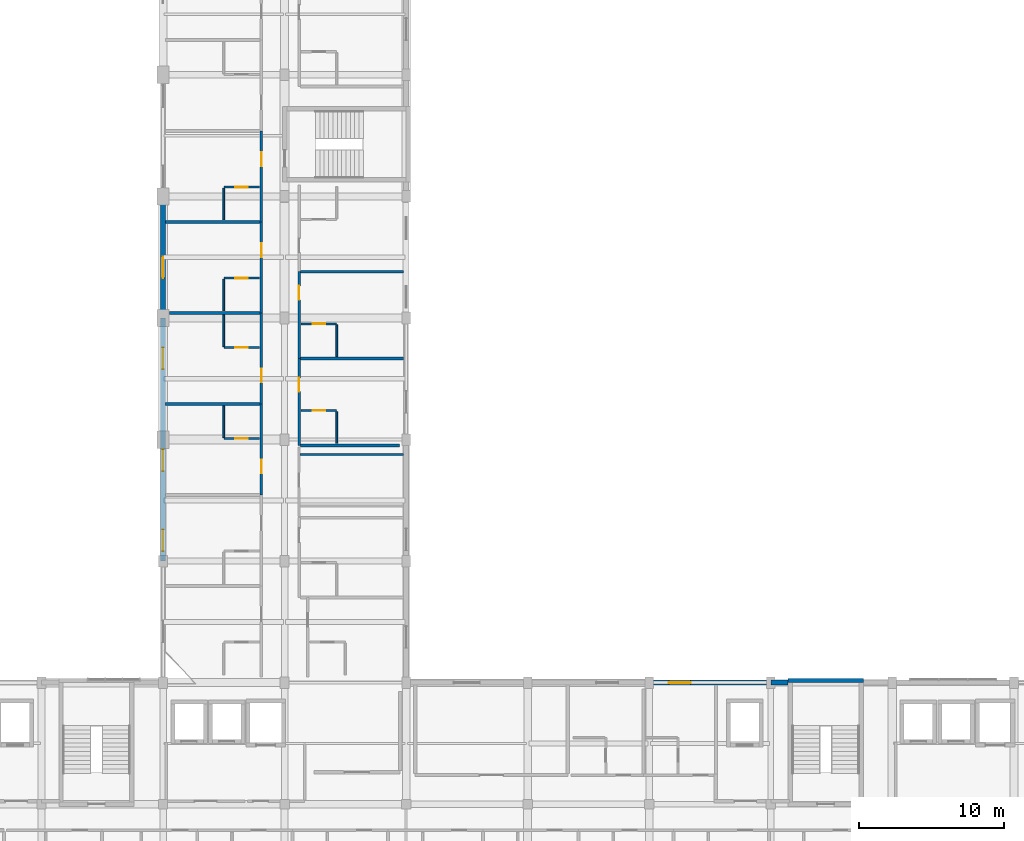
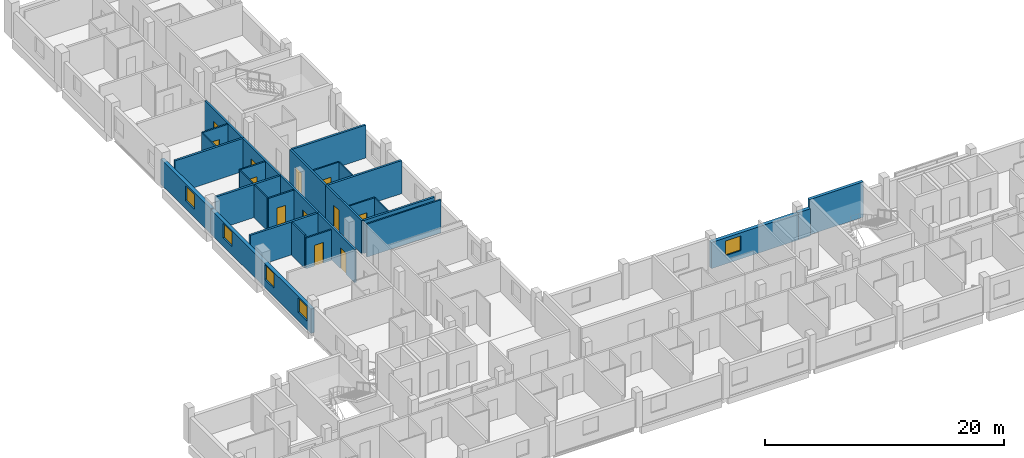
# One storey, part 16 of 26: 30 walls, 12 doors, 5 windows, 17 openings.
"""IFC4 building model written with IfcOpenShell, lengths in metres."""

from ifc_helpers import new_model, si_unit, derived_unit, direction, frame, frame_2d, origin, place, context, subcontext, project, spatial, rectangle, extrude, material, layer, layer_set, type_object, element, fill, save


model = new_model("IFC4")

# Units and contexts
model_context = context("Model", 3, precision=1e-05, world=origin(), true_north=direction((0.0, 1.0)))
body_context = subcontext(model_context, "Body", "Model", "MODEL_VIEW")
ifc_project = project(units=[si_unit("LENGTHUNIT", "METRE"), si_unit("AREAUNIT", "SQUARE_METRE"), si_unit("VOLUMEUNIT", "CUBIC_METRE"), si_unit("PLANEANGLEUNIT", "RADIAN"), si_unit("MASSUNIT", "GRAM", prefix="KILO"), derived_unit("THERMALTRANSMITTANCEUNIT", [(si_unit("POWERUNIT", "WATT"), 1), (si_unit("LENGTHUNIT", "METRE"), -2), (si_unit("THERMODYNAMICTEMPERATUREUNIT", "KELVIN"), -1)])], contexts=[model_context])

# Site, building, storey
site_placement = place(None, origin())
site = spatial("IfcSite", under=ifc_project, at=site_placement, CompositionType="ELEMENT")
building_placement = place(site_placement, origin())
building = spatial("IfcBuilding", under=site, at=building_placement, Name="Barrovel Congress Hotel", CompositionType="ELEMENT")
storey_placement = place(building_placement, frame((0.0, 0.0, 21.89990234375)))
storey = spatial("IfcBuildingStorey", under=building, at=storey_placement, Name="L05", CompositionType="ELEMENT", Elevation=21.89990234375)

# Wall, opening, window
ifc_material_1 = material(Name="Fired Clay Brick Masonry", Category="masonry")
ifc_layer_1 = layer(ifc_material_1, 0.340087890625)
ifc_layer_set_1 = layer_set([ifc_layer_1], Name="Fired Clay Brick Masonry")
wall_type_1 = type_object("IfcWallType", Name="EW-BRK340", PredefinedType="STANDARD", material=ifc_layer_set_1)
wall_1_placement = place(storey_placement, frame((75.60009765625, 21.0, 0.0), z_axis=(0.0, 0.0, 1.0), x_axis=(-1.0, 0.0, 0.0)))
wall_1 = element("IfcWall", 1, at=wall_1_placement, inside=storey, type_object=wall_type_1, Name="EW:L05:HS-NE-4", PredefinedType="STANDARD", context=body_context, shape_type="SweptSolid", body=[
    extrude(rectangle(XDim=8.400146484375, YDim=0.340087890625, at=frame_2d((4.2001953125, 0.0))), origin(), (0.0, 0.0, 1.0), 2.68017578125),
])
opening_1_placement = place(wall_1_placement, frame((5.550048828125, 0.0, 0.85009765625)))
opening_1 = element("IfcOpeningElement", 2, at=opening_1_placement, cuts=wall_1, Name="Opening WN-07", PredefinedType="OPENING", context=body_context, shape_type="SweptSolid", body=[
    extrude(rectangle(XDim=1.5, YDim=1.5, at=frame_2d((0.75, 0.75))), frame((0.0, 0.18017578125, 0.0), z_axis=(0.0, -1.0, 0.0), x_axis=(1.0, 0.0, 0.0)), (0.0, 0.0, 1.0), 0.360107421875),
])
ifc_material_2 = material(Name="Double Low-E Insulated Glazing", Category="glass")
window_type = type_object("IfcWindowType", Name="WIN-WN-07", PartitioningType="SINGLE_PANEL", PredefinedType="WINDOW", material=ifc_material_2)
window_1_placement = place(opening_1_placement, origin())
window_1 = element("IfcWindow", 3, at=window_1_placement, inside=storey, type_object=window_type, Name="WIN:L05:U23", OverallHeight=1.5, OverallWidth=1.5, PartitioningType="SINGLE_PANEL", PredefinedType="WINDOW", context=body_context, shape_type="SweptSolid", body=[
    extrude(rectangle(XDim=1.5, YDim=1.5, at=frame_2d((0.75, 0.75))), frame((0.0, 0.030029296875, 0.0), z_axis=(0.0, -1.0, 0.0), x_axis=(1.0, 0.0, 0.0)), (0.0, 0.0, 1.0), 0.06005859375),
])
fill(opening_1, window_1)

# Wall, openings, windows
wall_2_placement = place(storey_placement, frame((33.60009765625, 46.199951171875, 0.0), z_axis=(0.0, 0.0, 1.0), x_axis=(0.0, -1.0, 0.0)))
wall_2 = element("IfcWall", 4, at=wall_2_placement, inside=storey, type_object=wall_type_1, Name="EW:L05:HW-W", PredefinedType="STANDARD", context=body_context, shape_type="SweptSolid", body=[
    extrude(rectangle(XDim=16.800048828125, YDim=0.340087890625, at=frame_2d((8.39990234375, 0.0))), origin(), (0.0, 0.0, 1.0), 2.47998046875),
])
opening_2_placement = place(wall_2_placement, frame((14.61669921875, 0.0, 0.85009765625)))
opening_2 = element("IfcOpeningElement", 5, at=opening_2_placement, cuts=wall_2, Name="Opening WN-07", PredefinedType="OPENING", context=body_context, shape_type="SweptSolid", body=[
    extrude(rectangle(XDim=1.5, YDim=1.5, at=frame_2d((0.75, 0.75))), frame((0.0, 0.18017578125, 0.0), z_axis=(0.0, -1.0, 0.0), x_axis=(1.0, 0.0, 0.0)), (0.0, 0.0, 1.0), 0.360107421875),
])
opening_3_placement = place(wall_2_placement, frame((9.07763671875, 0.0, 0.85009765625)))
opening_3 = element("IfcOpeningElement", 6, at=opening_3_placement, cuts=wall_2, Name="Opening WN-07", PredefinedType="OPENING", context=body_context, shape_type="SweptSolid", body=[
    extrude(rectangle(XDim=1.5, YDim=1.5, at=frame_2d((0.75, 0.75))), frame((0.0, 0.18017578125, 0.0), z_axis=(0.0, -1.0, 0.0), x_axis=(1.0, 0.0, 0.0)), (0.0, 0.0, 1.0), 0.360107421875),
])
opening_4_placement = place(wall_2_placement, frame((2.038818359375, 0.0, 0.85009765625)))
opening_4 = element("IfcOpeningElement", 7, at=opening_4_placement, cuts=wall_2, Name="Opening WN-07", PredefinedType="OPENING", context=body_context, shape_type="SweptSolid", body=[
    extrude(rectangle(XDim=1.5, YDim=1.5, at=frame_2d((0.75, 0.75))), frame((0.0, 0.18017578125, 0.0), z_axis=(0.0, -1.0, 0.0), x_axis=(1.0, 0.0, 0.0)), (0.0, 0.0, 1.0), 0.360107421875),
])
window_2_placement = place(opening_2_placement, origin())
window_2 = element("IfcWindow", 8, at=window_2_placement, inside=storey, type_object=window_type, Name="WIN:L05:U34", OverallHeight=1.5, OverallWidth=1.5, PartitioningType="SINGLE_PANEL", PredefinedType="WINDOW", context=body_context, shape_type="SweptSolid", body=[
    extrude(rectangle(XDim=1.5, YDim=1.5, at=frame_2d((0.75, 0.75))), frame((0.0, 0.030029296875, 0.0), z_axis=(0.0, -1.0, 0.0), x_axis=(1.0, 0.0, 0.0)), (0.0, 0.0, 1.0), 0.06005859375),
])
fill(opening_2, window_2)
window_3_placement = place(opening_3_placement, origin())
window_3 = element("IfcWindow", 9, at=window_3_placement, inside=storey, type_object=window_type, Name="WIN:L05:U35", OverallHeight=1.5, OverallWidth=1.5, PartitioningType="SINGLE_PANEL", PredefinedType="WINDOW", context=body_context, shape_type="SweptSolid", body=[
    extrude(rectangle(XDim=1.5, YDim=1.5, at=frame_2d((0.75, 0.75))), frame((0.0, 0.030029296875, 0.0), z_axis=(0.0, -1.0, 0.0), x_axis=(1.0, 0.0, 0.0)), (0.0, 0.0, 1.0), 0.06005859375),
])
fill(opening_3, window_3)
window_4_placement = place(opening_4_placement, origin())
window_4 = element("IfcWindow", 10, at=window_4_placement, inside=storey, type_object=window_type, Name="WIN:L05:U36", OverallHeight=1.5, OverallWidth=1.5, PartitioningType="SINGLE_PANEL", PredefinedType="WINDOW", context=body_context, shape_type="SweptSolid", body=[
    extrude(rectangle(XDim=1.5, YDim=1.5, at=frame_2d((0.75, 0.75))), frame((0.0, 0.030029296875, 0.0), z_axis=(0.0, -1.0, 0.0), x_axis=(1.0, 0.0, 0.0)), (0.0, 0.0, 1.0), 0.06005859375),
])
fill(opening_4, window_4)

# Wall
wall_3_placement = place(storey_placement, frame((76.800048828125, 21.0, 0.0), z_axis=(0.0, 0.0, 1.0), x_axis=(-1.0, 0.0, 0.0)))
element("IfcWall", 11, at=wall_3_placement, inside=storey, type_object=wall_type_1, Name="EW:L05:HS-NE-4:P01", PredefinedType="STANDARD", context=body_context, shape_type="SweptSolid", body=[
    extrude(rectangle(XDim=1.199951171875, YDim=0.340087890625, at=frame_2d((0.60009765625, 0.0))), origin(), (0.0, 0.0, 1.0), 2.780029296875),
])

# Wall, opening, window
wall_4_placement = place(storey_placement, frame((33.60009765625, 54.60009765625, 0.0), z_axis=(0.0, 0.0, 1.0), x_axis=(0.0, -1.0, 0.0)))
wall_4 = element("IfcWall", 12, at=wall_4_placement, inside=storey, type_object=wall_type_1, Name="EW:L05:HW-W:P03", PredefinedType="STANDARD", context=body_context, shape_type="SweptSolid", body=[
    extrude(rectangle(XDim=8.400146484375, YDim=0.340087890625, at=frame_2d((4.2001953125, 0.0))), origin(), (0.0, 0.0, 1.0), 2.580078125),
])
opening_5_placement = place(wall_4_placement, frame((4.14990234375, 0.0, 0.85009765625)))
opening_5 = element("IfcOpeningElement", 13, at=opening_5_placement, cuts=wall_4, Name="Opening WN-07", PredefinedType="OPENING", context=body_context, shape_type="SweptSolid", body=[
    extrude(rectangle(XDim=1.5, YDim=1.5, at=frame_2d((0.75, 0.75))), frame((0.0, 0.18017578125, 0.0), z_axis=(0.0, -1.0, 0.0), x_axis=(1.0, 0.0, 0.0)), (0.0, 0.0, 1.0), 0.360107421875),
])
window_5_placement = place(opening_5_placement, origin())
window_5 = element("IfcWindow", 14, at=window_5_placement, inside=storey, type_object=window_type, Name="WIN:L05:U37", OverallHeight=1.5, OverallWidth=1.5, PartitioningType="SINGLE_PANEL", PredefinedType="WINDOW", context=body_context, shape_type="SweptSolid", body=[
    extrude(rectangle(XDim=1.5, YDim=1.5, at=frame_2d((0.75, 0.75))), frame((0.0, 0.030029296875, 0.0), z_axis=(0.0, -1.0, 0.0), x_axis=(1.0, 0.0, 0.0)), (0.0, 0.0, 1.0), 0.06005859375),
])
fill(opening_5, window_5)

# Wall, opening, door
ifc_material_3 = material(Name="Gypsum Acoustic Stud", Category="gypsum")
ifc_layer_2 = layer(ifc_material_3, 0.179931640625)
ifc_layer_set_2 = layer_set([ifc_layer_2], Name="Gypsum Acoustic Stud")
wall_type_2 = type_object("IfcWallType", Name="PW-ACU-180", PredefinedType="PARTITIONING", material=ifc_layer_set_2)
wall_5_placement = place(storey_placement, frame((40.39990234375, 33.977783203125, 0.0), z_axis=(0.0, 0.0, 1.0), x_axis=(0.0, 1.0, 0.0)))
wall_5 = element("IfcWall", 15, at=wall_5_placement, inside=storey, type_object=wall_type_2, Name="PW:L05:U35:COR", PredefinedType="PARTITIONING", context=body_context, shape_type="SweptSolid", body=[
    extrude(rectangle(XDim=6.288818359375, YDim=0.179931640625, at=frame_2d((3.14453125, 0.0))), origin(), (0.0, 0.0, 1.0), 3.375),
])
opening_6_placement = place(wall_5_placement, frame((1.4794921875, 0.0, 0.0)))
opening_6 = element("IfcOpeningElement", 16, at=opening_6_placement, cuts=wall_5, Name="Opening ID-HTL", PredefinedType="OPENING", context=body_context, shape_type="SweptSolid", body=[
    extrude(rectangle(XDim=0.9599609375, YDim=2.14990234375, at=frame_2d((0.47998046875, 1.074951171875))), frame((0.0, 0.10009765625, 0.0), z_axis=(0.0, -1.0, 0.0), x_axis=(1.0, 0.0, 0.0)), (0.0, 0.0, 1.0), 0.199951171875),
])
ifc_material_4 = material(Name="Solid Oak Acoustic Timber Door", Category="wood")
door_type_1 = type_object("IfcDoorType", Name="IDR-ID-HTL", OperationType="NOTDEFINED", PredefinedType="DOOR", material=ifc_material_4)
door_1_placement = place(opening_6_placement, origin())
door_1 = element("IfcDoor", 17, at=door_1_placement, inside=storey, type_object=door_type_1, Name="DR:L05:U35:ENT", OperationType="SINGLE_SWING_RIGHT", OverallHeight=2.14990234375, OverallWidth=0.9599609375, PredefinedType="DOOR", context=body_context, shape_type="SweptSolid", body=[
    extrude(rectangle(XDim=0.9599609375, YDim=2.14990234375, at=frame_2d((0.47998046875, 1.074951171875))), frame((0.0, 0.02490234375, 0.0), z_axis=(0.0, -1.0, 0.0), x_axis=(1.0, 0.0, 0.0)), (0.0, 0.0, 1.0), 0.050048828125),
])
fill(opening_6, door_1)

wall_6_placement = place(storey_placement, frame((40.39990234375, 40.2666015625, 0.0), z_axis=(0.0, 0.0, 1.0), x_axis=(0.0, 1.0, 0.0)))
wall_6 = element("IfcWall", 18, at=wall_6_placement, inside=storey, type_object=wall_type_2, Name="PW:L05:U36:COR", PredefinedType="PARTITIONING", context=body_context, shape_type="SweptSolid", body=[
    extrude(rectangle(XDim=6.2890625, YDim=0.179931640625, at=frame_2d((3.14453125, 0.0))), origin(), (0.0, 0.0, 1.0), 3.375),
])
opening_7_placement = place(wall_6_placement, frame((1.4794921875, 0.0, 0.0)))
opening_7 = element("IfcOpeningElement", 19, at=opening_7_placement, cuts=wall_6, Name="Opening ID-HTL", PredefinedType="OPENING", context=body_context, shape_type="SweptSolid", body=[
    extrude(rectangle(XDim=0.9599609375, YDim=2.14990234375, at=frame_2d((0.47998046875, 1.074951171875))), frame((0.0, 0.10009765625, 0.0), z_axis=(0.0, -1.0, 0.0), x_axis=(1.0, 0.0, 0.0)), (0.0, 0.0, 1.0), 0.199951171875),
])
door_2_placement = place(opening_7_placement, origin())
door_2 = element("IfcDoor", 20, at=door_2_placement, inside=storey, type_object=door_type_1, Name="DR:L05:U36:ENT", OperationType="SINGLE_SWING_RIGHT", OverallHeight=2.14990234375, OverallWidth=0.9599609375, PredefinedType="DOOR", context=body_context, shape_type="SweptSolid", body=[
    extrude(rectangle(XDim=0.9599609375, YDim=2.14990234375, at=frame_2d((0.47998046875, 1.074951171875))), frame((0.0, 0.02490234375, 0.0), z_axis=(0.0, -1.0, 0.0), x_axis=(1.0, 0.0, 0.0)), (0.0, 0.0, 1.0), 0.050048828125),
])
fill(opening_7, door_2)

wall_7_placement = place(storey_placement, frame((40.39990234375, 46.5556640625, 0.0), z_axis=(0.0, 0.0, 1.0), x_axis=(0.0, 1.0, 0.0)))
wall_7 = element("IfcWall", 21, at=wall_7_placement, inside=storey, type_object=wall_type_2, Name="PW:L05:U37:COR", PredefinedType="PARTITIONING", context=body_context, shape_type="SweptSolid", body=[
    extrude(rectangle(XDim=6.288818359375, YDim=0.179931640625, at=frame_2d((3.14453125, 0.0))), origin(), (0.0, 0.0, 1.0), 3.375),
])
opening_8_placement = place(wall_7_placement, frame((3.849365234375, 0.0, 0.0)))
opening_8 = element("IfcOpeningElement", 22, at=opening_8_placement, cuts=wall_7, Name="Opening ID-HTL", PredefinedType="OPENING", context=body_context, shape_type="SweptSolid", body=[
    extrude(rectangle(XDim=0.9599609375, YDim=2.14990234375, at=frame_2d((0.47998046875, 1.074951171875))), frame((0.0, 0.10009765625, 0.0), z_axis=(0.0, -1.0, 0.0), x_axis=(1.0, 0.0, 0.0)), (0.0, 0.0, 1.0), 0.199951171875),
])
door_3_placement = place(opening_8_placement, origin())
door_3 = element("IfcDoor", 23, at=door_3_placement, inside=storey, type_object=door_type_1, Name="DR:L05:U37:ENT", OperationType="SINGLE_SWING_RIGHT", OverallHeight=2.14990234375, OverallWidth=0.9599609375, PredefinedType="DOOR", context=body_context, shape_type="SweptSolid", body=[
    extrude(rectangle(XDim=0.9599609375, YDim=2.14990234375, at=frame_2d((0.47998046875, 1.074951171875))), frame((0.0, 0.02490234375, 0.0), z_axis=(0.0, -1.0, 0.0), x_axis=(1.0, 0.0, 0.0)), (0.0, 0.0, 1.0), 0.050048828125),
])
fill(opening_8, door_3)

wall_8_placement = place(storey_placement, frame((40.39990234375, 52.844482421875, 0.0), z_axis=(0.0, 0.0, 1.0), x_axis=(0.0, 1.0, 0.0)))
wall_8 = element("IfcWall", 24, at=wall_8_placement, inside=storey, type_object=wall_type_2, Name="PW:L05:U38:COR", PredefinedType="PARTITIONING", context=body_context, shape_type="SweptSolid", body=[
    extrude(rectangle(XDim=6.288818359375, YDim=0.179931640625, at=frame_2d((3.14453125, 0.0))), origin(), (0.0, 0.0, 1.0), 3.375),
])
opening_9_placement = place(wall_8_placement, frame((3.849609375, 0.0, 0.0)))
opening_9 = element("IfcOpeningElement", 25, at=opening_9_placement, cuts=wall_8, Name="Opening ID-HTL", PredefinedType="OPENING", context=body_context, shape_type="SweptSolid", body=[
    extrude(rectangle(XDim=0.9599609375, YDim=2.14990234375, at=frame_2d((0.47998046875, 1.074951171875))), frame((0.0, 0.10009765625, 0.0), z_axis=(0.0, -1.0, 0.0), x_axis=(1.0, 0.0, 0.0)), (0.0, 0.0, 1.0), 0.199951171875),
])
door_4_placement = place(opening_9_placement, origin())
door_4 = element("IfcDoor", 26, at=door_4_placement, inside=storey, type_object=door_type_1, Name="DR:L05:U38:ENT", OperationType="SINGLE_SWING_RIGHT", OverallHeight=2.14990234375, OverallWidth=0.9599609375, PredefinedType="DOOR", context=body_context, shape_type="SweptSolid", body=[
    extrude(rectangle(XDim=0.9599609375, YDim=2.14990234375, at=frame_2d((0.47998046875, 1.074951171875))), frame((0.0, 0.02490234375, 0.0), z_axis=(0.0, -1.0, 0.0), x_axis=(1.0, 0.0, 0.0)), (0.0, 0.0, 1.0), 0.050048828125),
])
fill(opening_9, door_4)

wall_9_placement = place(storey_placement, frame((43.0, 37.39990234375, 0.0), z_axis=(0.0, 0.0, 1.0), x_axis=(0.0, 1.0, 0.0)))
wall_9 = element("IfcWall", 27, at=wall_9_placement, inside=storey, type_object=wall_type_2, Name="PW:L05:U44:COR", PredefinedType="PARTITIONING", context=body_context, shape_type="SweptSolid", body=[
    extrude(rectangle(XDim=6.0, YDim=0.179931640625, at=frame_2d((3.0, 0.0))), origin(), (0.0, 0.0, 1.0), 3.375),
])
opening_10_placement = place(wall_9_placement, frame((3.705078125, 0.0, 0.0)))
opening_10 = element("IfcOpeningElement", 28, at=opening_10_placement, cuts=wall_9, Name="Opening ID-HTL", PredefinedType="OPENING", context=body_context, shape_type="SweptSolid", body=[
    extrude(rectangle(XDim=0.9599609375, YDim=2.14990234375, at=frame_2d((0.47998046875, 1.074951171875))), frame((0.0, 0.10009765625, 0.0), z_axis=(0.0, -1.0, 0.0), x_axis=(1.0, 0.0, 0.0)), (0.0, 0.0, 1.0), 0.199951171875),
])
door_5_placement = place(opening_10_placement, origin())
door_5 = element("IfcDoor", 29, at=door_5_placement, inside=storey, type_object=door_type_1, Name="DR:L05:U44:ENT", OperationType="SINGLE_SWING_RIGHT", OverallHeight=2.14990234375, OverallWidth=0.9599609375, PredefinedType="DOOR", context=body_context, shape_type="SweptSolid", body=[
    extrude(rectangle(XDim=0.9599609375, YDim=2.14990234375, at=frame_2d((0.47998046875, 1.074951171875))), frame((0.0, 0.02490234375, 0.0), z_axis=(0.0, -1.0, 0.0), x_axis=(1.0, 0.0, 0.0)), (0.0, 0.0, 1.0), 0.050048828125),
])
fill(opening_10, door_5)

wall_10_placement = place(storey_placement, frame((43.0, 43.39990234375, 0.0), z_axis=(0.0, 0.0, 1.0), x_axis=(0.0, 1.0, 0.0)))
wall_10 = element("IfcWall", 30, at=wall_10_placement, inside=storey, type_object=wall_type_2, Name="PW:L05:U45:COR", PredefinedType="PARTITIONING", context=body_context, shape_type="SweptSolid", body=[
    extrude(rectangle(XDim=6.0, YDim=0.179931640625, at=frame_2d((3.0, 0.0))), origin(), (0.0, 0.0, 1.0), 3.375),
])
opening_11_placement = place(wall_10_placement, frame((4.054931640625, 0.0, 0.0)))
opening_11 = element("IfcOpeningElement", 31, at=opening_11_placement, cuts=wall_10, Name="Opening ID-HTL", PredefinedType="OPENING", context=body_context, shape_type="SweptSolid", body=[
    extrude(rectangle(XDim=0.9599609375, YDim=2.14990234375, at=frame_2d((0.47998046875, 1.074951171875))), frame((0.0, 0.10009765625, 0.0), z_axis=(0.0, -1.0, 0.0), x_axis=(1.0, 0.0, 0.0)), (0.0, 0.0, 1.0), 0.199951171875),
])
door_6_placement = place(opening_11_placement, origin())
door_6 = element("IfcDoor", 32, at=door_6_placement, inside=storey, type_object=door_type_1, Name="DR:L05:U45:ENT", OperationType="SINGLE_SWING_RIGHT", OverallHeight=2.14990234375, OverallWidth=0.9599609375, PredefinedType="DOOR", context=body_context, shape_type="SweptSolid", body=[
    extrude(rectangle(XDim=0.9599609375, YDim=2.14990234375, at=frame_2d((0.47998046875, 1.074951171875))), frame((0.0, 0.02490234375, 0.0), z_axis=(0.0, -1.0, 0.0), x_axis=(1.0, 0.0, 0.0)), (0.0, 0.0, 1.0), 0.050048828125),
])
fill(opening_11, door_6)

# Walls
ifc_layer_3 = layer(ifc_material_3, 0.1201171875)
ifc_layer_set_3 = layer_set([ifc_layer_3], Name="Gypsum Acoustic Stud")
wall_type_3 = type_object("IfcWallType", Name="PW-INT-120", PredefinedType="PARTITIONING", material=ifc_layer_set_3)
for number, where, z_axis, x_axis, name in (
    (33, (37.800048828125, 37.936767578125, 0.0), (0.0, 0.0, 1.0), (0.0, 1.0, 0.0), "PW:L05:U35:B2"),
    (34, (37.800048828125, 44.2255859375, 0.0), (0.0, 0.0, 1.0), (0.0, 1.0, 0.0), "PW:L05:U36:B2"),
    (35, (37.800048828125, 46.695556640625, 0.0), (0.0, 0.0, 1.0), (0.0, 1.0, 0.0), "PW:L05:U37:B2"),
    (36, (37.800048828125, 52.984375, 0.0), (0.0, 0.0, 1.0), (0.0, 1.0, 0.0), "PW:L05:U38:B2"),
    (37, (45.60009765625, 37.5400390625, 0.0), (0.0, 0.0, 1.0), (0.0, 1.0, 0.0), "PW:L05:U44:B2"),
    (38, (45.60009765625, 43.5400390625, 0.0), (0.0, 0.0, 1.0), (0.0, 1.0, 0.0), "PW:L05:U45:B2"),
):
    element("IfcWall", number, at=place(storey_placement, frame(where, z_axis=z_axis, x_axis=x_axis)), inside=storey, type_object=wall_type_3, Name=name, PredefinedType="PARTITIONING", context=body_context, shape_type="SweptSolid", body=[
        extrude(rectangle(XDim=2.18994140625, YDim=0.1201171875, at=frame_2d((1.094970703125, 0.0))), origin(), (0.0, 0.0, 1.0), 3.375),
    ])
ifc_layer_4 = layer(ifc_material_1, 0.199951171875)
ifc_layer_set_4 = layer_set([ifc_layer_4], Name="Fired Clay Brick Masonry")
wall_type_4 = type_object("IfcWallType", Name="PW-MAS-200", PredefinedType="PARTITIONING", material=ifc_layer_set_4)
wall_11_placement = place(storey_placement, frame((33.77001953125, 40.2666015625, 0.0), z_axis=(0.0, 0.0, 1.0), x_axis=(1.0, 0.0, 0.0)))
element("IfcWall", 39, at=wall_11_placement, inside=storey, type_object=wall_type_4, Name="PW:L05:U35:DEM", PredefinedType="PARTITIONING", context=body_context, shape_type="SweptSolid", body=[
    extrude(rectangle(XDim=6.5400390625, YDim=0.199951171875, at=frame_2d((3.27001953125, 0.0))), origin(), (0.0, 0.0, 1.0), 3.375),
])
wall_12_placement = place(storey_placement, frame((34.050048828125, 46.5556640625, 0.0), z_axis=(0.0, 0.0, 1.0), x_axis=(1.0, 0.0, 0.0)))
element("IfcWall", 40, at=wall_12_placement, inside=storey, type_object=wall_type_4, Name="PW:L05:U36:DEM", PredefinedType="PARTITIONING", context=body_context, shape_type="SweptSolid", body=[
    extrude(rectangle(XDim=6.260009765625, YDim=0.199951171875, at=frame_2d((3.1298828125, 0.0))), origin(), (0.0, 0.0, 1.0), 3.375),
])
wall_13_placement = place(storey_placement, frame((33.77001953125, 52.844482421875, 0.0), z_axis=(0.0, 0.0, 1.0), x_axis=(1.0, 0.0, 0.0)))
element("IfcWall", 41, at=wall_13_placement, inside=storey, type_object=wall_type_4, Name="PW:L05:U37:DEM", PredefinedType="PARTITIONING", context=body_context, shape_type="SweptSolid", body=[
    extrude(rectangle(XDim=6.5400390625, YDim=0.199951171875, at=frame_2d((3.27001953125, 0.0))), origin(), (0.0, 0.0, 1.0), 3.375),
])
wall_14_placement = place(storey_placement, frame((43.090087890625, 37.39990234375, 0.0), z_axis=(0.0, 0.0, 1.0), x_axis=(1.0, 0.0, 0.0)))
element("IfcWall", 42, at=wall_14_placement, inside=storey, type_object=wall_type_4, Name="PW:L05:U44:DEM0", PredefinedType="PARTITIONING", context=body_context, shape_type="SweptSolid", body=[
    extrude(rectangle(XDim=6.85986328125, YDim=0.199951171875, at=frame_2d((3.429931640625, 0.0))), origin(), (0.0, 0.0, 1.0), 3.375),
])
for number, where, z_axis, x_axis, name in (
    (43, (43.090087890625, 43.39990234375, 0.0), (0.0, 0.0, 1.0), (1.0, 0.0, 0.0), "PW:L05:U44:DEM"),
    (44, (43.090087890625, 49.39990234375, 0.0), (0.0, 0.0, 1.0), (1.0, 0.0, 0.0), "PW:L05:U45:DEM"),
):
    element("IfcWall", number, at=place(storey_placement, frame(where, z_axis=z_axis, x_axis=x_axis)), inside=storey, type_object=wall_type_4, Name=name, PredefinedType="PARTITIONING", context=body_context, shape_type="SweptSolid", body=[
        extrude(rectangle(XDim=7.139892578125, YDim=0.199951171875, at=frame_2d((3.56982421875, 0.0))), origin(), (0.0, 0.0, 1.0), 3.375),
    ])

# Wall, opening, door
ifc_material_5 = material(Name="Gypsum Moisture Board", Category="gypsum")
ifc_layer_5 = layer(ifc_material_5, 0.139892578125)
ifc_layer_set_5 = layer_set([ifc_layer_5], Name="Gypsum Moisture Board")
wall_type_5 = type_object("IfcWallType", Name="PW-WET-140", PredefinedType="PARTITIONING", material=ifc_layer_set_5)
wall_15_placement = place(storey_placement, frame((37.800048828125, 37.86669921875, 0.0), z_axis=(0.0, 0.0, 1.0), x_axis=(1.0, 0.0, 0.0)))
wall_15 = element("IfcWall", 45, at=wall_15_placement, inside=storey, type_object=wall_type_5, Name="PW:L05:U35:B1", PredefinedType="PARTITIONING", context=body_context, shape_type="SweptSolid", body=[
    extrude(rectangle(XDim=2.4599609375, YDim=0.139892578125, at=frame_2d((1.22998046875, 0.0))), origin(), (0.0, 0.0, 1.0), 3.133056640625),
])
opening_12_placement = place(wall_15_placement, frame((0.800048828125, 0.0, 0.0)))
opening_12 = element("IfcOpeningElement", 46, at=opening_12_placement, cuts=wall_15, Name="Opening ID-ENS", PredefinedType="OPENING", context=body_context, shape_type="SweptSolid", body=[
    extrude(rectangle(XDim=0.860107421875, YDim=2.10009765625, at=frame_2d((0.43017578125, 1.050048828125))), frame((0.0, 0.080078125, 0.0), z_axis=(0.0, -1.0, 0.0), x_axis=(1.0, 0.0, 0.0)), (0.0, 0.0, 1.0), 0.159912109375),
])
ifc_material_6 = material(Name="Lacquered Timber Moisture Door", Category="wood")
door_type_2 = type_object("IfcDoorType", Name="IDR-ID-ENS", OperationType="NOTDEFINED", PredefinedType="DOOR", material=ifc_material_6)
door_7_placement = place(opening_12_placement, origin())
door_7 = element("IfcDoor", 47, at=door_7_placement, inside=storey, type_object=door_type_2, Name="DR:L05:U35:ENS", OperationType="SINGLE_SWING_LEFT", OverallHeight=2.10009765625, OverallWidth=0.860107421875, PredefinedType="DOOR", context=body_context, shape_type="SweptSolid", body=[
    extrude(rectangle(XDim=0.860107421875, YDim=2.10009765625, at=frame_2d((0.43017578125, 1.050048828125))), frame((0.0, 0.02490234375, 0.0), z_axis=(0.0, -1.0, 0.0), x_axis=(1.0, 0.0, 0.0)), (0.0, 0.0, 1.0), 0.050048828125),
])
fill(opening_12, door_7)

wall_16_placement = place(storey_placement, frame((37.800048828125, 44.155517578125, 0.0), z_axis=(0.0, 0.0, 1.0), x_axis=(1.0, 0.0, 0.0)))
wall_16 = element("IfcWall", 48, at=wall_16_placement, inside=storey, type_object=wall_type_5, Name="PW:L05:U36:B1", PredefinedType="PARTITIONING", context=body_context, shape_type="SweptSolid", body=[
    extrude(rectangle(XDim=2.4599609375, YDim=0.139892578125, at=frame_2d((1.22998046875, 0.0))), origin(), (0.0, 0.0, 1.0), 3.375),
])
opening_13_placement = place(wall_16_placement, frame((0.800048828125, 0.0, 0.0)))
opening_13 = element("IfcOpeningElement", 49, at=opening_13_placement, cuts=wall_16, Name="Opening ID-ENS", PredefinedType="OPENING", context=body_context, shape_type="SweptSolid", body=[
    extrude(rectangle(XDim=0.860107421875, YDim=2.10009765625, at=frame_2d((0.43017578125, 1.050048828125))), frame((0.0, 0.080078125, 0.0), z_axis=(0.0, -1.0, 0.0), x_axis=(1.0, 0.0, 0.0)), (0.0, 0.0, 1.0), 0.159912109375),
])
door_8_placement = place(opening_13_placement, origin())
door_8 = element("IfcDoor", 50, at=door_8_placement, inside=storey, type_object=door_type_2, Name="DR:L05:U36:ENS", OperationType="SINGLE_SWING_LEFT", OverallHeight=2.10009765625, OverallWidth=0.860107421875, PredefinedType="DOOR", context=body_context, shape_type="SweptSolid", body=[
    extrude(rectangle(XDim=0.860107421875, YDim=2.10009765625, at=frame_2d((0.43017578125, 1.050048828125))), frame((0.0, 0.02490234375, 0.0), z_axis=(0.0, -1.0, 0.0), x_axis=(1.0, 0.0, 0.0)), (0.0, 0.0, 1.0), 0.050048828125),
])
fill(opening_13, door_8)

wall_17_placement = place(storey_placement, frame((37.800048828125, 48.95556640625, 0.0), z_axis=(0.0, 0.0, 1.0), x_axis=(1.0, 0.0, 0.0)))
wall_17 = element("IfcWall", 51, at=wall_17_placement, inside=storey, type_object=wall_type_5, Name="PW:L05:U37:B1", PredefinedType="PARTITIONING", context=body_context, shape_type="SweptSolid", body=[
    extrude(rectangle(XDim=2.4599609375, YDim=0.139892578125, at=frame_2d((1.22998046875, 0.0))), origin(), (0.0, 0.0, 1.0), 3.375),
])
opening_14_placement = place(wall_17_placement, frame((0.800048828125, 0.0, 0.0)))
opening_14 = element("IfcOpeningElement", 52, at=opening_14_placement, cuts=wall_17, Name="Opening ID-ENS", PredefinedType="OPENING", context=body_context, shape_type="SweptSolid", body=[
    extrude(rectangle(XDim=0.860107421875, YDim=2.10009765625, at=frame_2d((0.43017578125, 1.050048828125))), frame((0.0, 0.080078125, 0.0), z_axis=(0.0, -1.0, 0.0), x_axis=(1.0, 0.0, 0.0)), (0.0, 0.0, 1.0), 0.159912109375),
])
door_9_placement = place(opening_14_placement, origin())
door_9 = element("IfcDoor", 53, at=door_9_placement, inside=storey, type_object=door_type_2, Name="DR:L05:U37:ENS", OperationType="SINGLE_SWING_LEFT", OverallHeight=2.10009765625, OverallWidth=0.860107421875, PredefinedType="DOOR", context=body_context, shape_type="SweptSolid", body=[
    extrude(rectangle(XDim=0.860107421875, YDim=2.10009765625, at=frame_2d((0.43017578125, 1.050048828125))), frame((0.0, 0.02490234375, 0.0), z_axis=(0.0, -1.0, 0.0), x_axis=(1.0, 0.0, 0.0)), (0.0, 0.0, 1.0), 0.050048828125),
])
fill(opening_14, door_9)

wall_18_placement = place(storey_placement, frame((37.800048828125, 55.244384765625, 0.0), z_axis=(0.0, 0.0, 1.0), x_axis=(1.0, 0.0, 0.0)))
wall_18 = element("IfcWall", 54, at=wall_18_placement, inside=storey, type_object=wall_type_5, Name="PW:L05:U38:B1", PredefinedType="PARTITIONING", context=body_context, shape_type="SweptSolid", body=[
    extrude(rectangle(XDim=2.4599609375, YDim=0.139892578125, at=frame_2d((1.22998046875, 0.0))), origin(), (0.0, 0.0, 1.0), 3.375),
])
opening_15_placement = place(wall_18_placement, frame((0.800048828125, 0.0, 0.0)))
opening_15 = element("IfcOpeningElement", 55, at=opening_15_placement, cuts=wall_18, Name="Opening ID-ENS", PredefinedType="OPENING", context=body_context, shape_type="SweptSolid", body=[
    extrude(rectangle(XDim=0.860107421875, YDim=2.10009765625, at=frame_2d((0.43017578125, 1.050048828125))), frame((0.0, 0.080078125, 0.0), z_axis=(0.0, -1.0, 0.0), x_axis=(1.0, 0.0, 0.0)), (0.0, 0.0, 1.0), 0.159912109375),
])
door_10_placement = place(opening_15_placement, origin())
door_10 = element("IfcDoor", 56, at=door_10_placement, inside=storey, type_object=door_type_2, Name="DR:L05:U38:ENS", OperationType="SINGLE_SWING_LEFT", OverallHeight=2.10009765625, OverallWidth=0.860107421875, PredefinedType="DOOR", context=body_context, shape_type="SweptSolid", body=[
    extrude(rectangle(XDim=0.860107421875, YDim=2.10009765625, at=frame_2d((0.43017578125, 1.050048828125))), frame((0.0, 0.02490234375, 0.0), z_axis=(0.0, -1.0, 0.0), x_axis=(1.0, 0.0, 0.0)), (0.0, 0.0, 1.0), 0.050048828125),
])
fill(opening_15, door_10)

wall_19_placement = place(storey_placement, frame((43.139892578125, 39.800048828125, 0.0), z_axis=(0.0, 0.0, 1.0), x_axis=(1.0, 0.0, 0.0)))
wall_19 = element("IfcWall", 57, at=wall_19_placement, inside=storey, type_object=wall_type_5, Name="PW:L05:U44:B1", PredefinedType="PARTITIONING", context=body_context, shape_type="SweptSolid", body=[
    extrude(rectangle(XDim=2.460205078125, YDim=0.139892578125, at=frame_2d((1.22998046875, 0.0))), origin(), (0.0, 0.0, 1.0), 3.375),
])
opening_16_placement = place(wall_19_placement, frame((0.800048828125, 0.0, 0.0)))
opening_16 = element("IfcOpeningElement", 58, at=opening_16_placement, cuts=wall_19, Name="Opening ID-ENS", PredefinedType="OPENING", context=body_context, shape_type="SweptSolid", body=[
    extrude(rectangle(XDim=0.860107421875, YDim=2.10009765625, at=frame_2d((0.43017578125, 1.050048828125))), frame((0.0, 0.080078125, 0.0), z_axis=(0.0, -1.0, 0.0), x_axis=(1.0, 0.0, 0.0)), (0.0, 0.0, 1.0), 0.159912109375),
])
door_11_placement = place(opening_16_placement, origin())
door_11 = element("IfcDoor", 59, at=door_11_placement, inside=storey, type_object=door_type_2, Name="DR:L05:U44:ENS", OperationType="SINGLE_SWING_LEFT", OverallHeight=2.10009765625, OverallWidth=0.860107421875, PredefinedType="DOOR", context=body_context, shape_type="SweptSolid", body=[
    extrude(rectangle(XDim=0.860107421875, YDim=2.10009765625, at=frame_2d((0.43017578125, 1.050048828125))), frame((0.0, 0.02490234375, 0.0), z_axis=(0.0, -1.0, 0.0), x_axis=(1.0, 0.0, 0.0)), (0.0, 0.0, 1.0), 0.050048828125),
])
fill(opening_16, door_11)

wall_20_placement = place(storey_placement, frame((43.139892578125, 45.800048828125, 0.0), z_axis=(0.0, 0.0, 1.0), x_axis=(1.0, 0.0, 0.0)))
wall_20 = element("IfcWall", 60, at=wall_20_placement, inside=storey, type_object=wall_type_5, Name="PW:L05:U45:B1", PredefinedType="PARTITIONING", context=body_context, shape_type="SweptSolid", body=[
    extrude(rectangle(XDim=2.460205078125, YDim=0.139892578125, at=frame_2d((1.22998046875, 0.0))), origin(), (0.0, 0.0, 1.0), 3.375),
])
opening_17_placement = place(wall_20_placement, frame((0.800048828125, 0.0, 0.0)))
opening_17 = element("IfcOpeningElement", 61, at=opening_17_placement, cuts=wall_20, Name="Opening ID-ENS", PredefinedType="OPENING", context=body_context, shape_type="SweptSolid", body=[
    extrude(rectangle(XDim=0.860107421875, YDim=2.10009765625, at=frame_2d((0.43017578125, 1.050048828125))), frame((0.0, 0.080078125, 0.0), z_axis=(0.0, -1.0, 0.0), x_axis=(1.0, 0.0, 0.0)), (0.0, 0.0, 1.0), 0.159912109375),
])
door_12_placement = place(opening_17_placement, origin())
door_12 = element("IfcDoor", 62, at=door_12_placement, inside=storey, type_object=door_type_2, Name="DR:L05:U45:ENS", OperationType="SINGLE_SWING_LEFT", OverallHeight=2.10009765625, OverallWidth=0.860107421875, PredefinedType="DOOR", context=body_context, shape_type="SweptSolid", body=[
    extrude(rectangle(XDim=0.860107421875, YDim=2.10009765625, at=frame_2d((0.43017578125, 1.050048828125))), frame((0.0, 0.02490234375, 0.0), z_axis=(0.0, -1.0, 0.0), x_axis=(1.0, 0.0, 0.0)), (0.0, 0.0, 1.0), 0.050048828125),
])
fill(opening_17, door_12)

# Walls
wall_21_placement = place(storey_placement, frame((43.070068359375, 36.780029296875, 0.0), z_axis=(0.0, 0.0, 1.0), x_axis=(1.0, 0.0, 0.0)))
element("IfcWall", 63, at=wall_21_placement, inside=storey, type_object=wall_type_5, Name="RW:SP:L05:WC-A:N", PredefinedType="PARTITIONING", context=body_context, shape_type="SweptSolid", body=[
    extrude(rectangle(XDim=7.159912109375, YDim=0.139892578125, at=frame_2d((3.580078125, 0.0))), origin(), (0.0, 0.0, 1.0), 3.375),
])
ifc_material_7 = material(Name="Concrete C40", Category="concrete")
ifc_layer_6 = layer(ifc_material_7, 0.300048828125)
ifc_layer_set_6 = layer_set([ifc_layer_6], Name="Concrete C40")
wall_type_6 = type_object("IfcWallType", Name="SW-C40-300", PredefinedType="SHEAR", material=ifc_layer_set_6)
wall_22_placement = place(storey_placement, frame((82.0, 21.14990234375, 0.0), z_axis=(0.0, 0.0, 1.0), x_axis=(-1.0, 0.0, 0.0)))
element("IfcWall", 64, at=wall_22_placement, inside=storey, type_object=wall_type_6, Name="SHW:XS-02:L05:N", PredefinedType="SHEAR", context=body_context, shape_type="SweptSolid", body=[
    extrude(rectangle(XDim=5.199951171875, YDim=0.300048828125, at=frame_2d((2.60009765625, 0.0))), origin(), (0.0, 0.0, 1.0), 3.60009765625),
])

save(model, "model.ifc")
